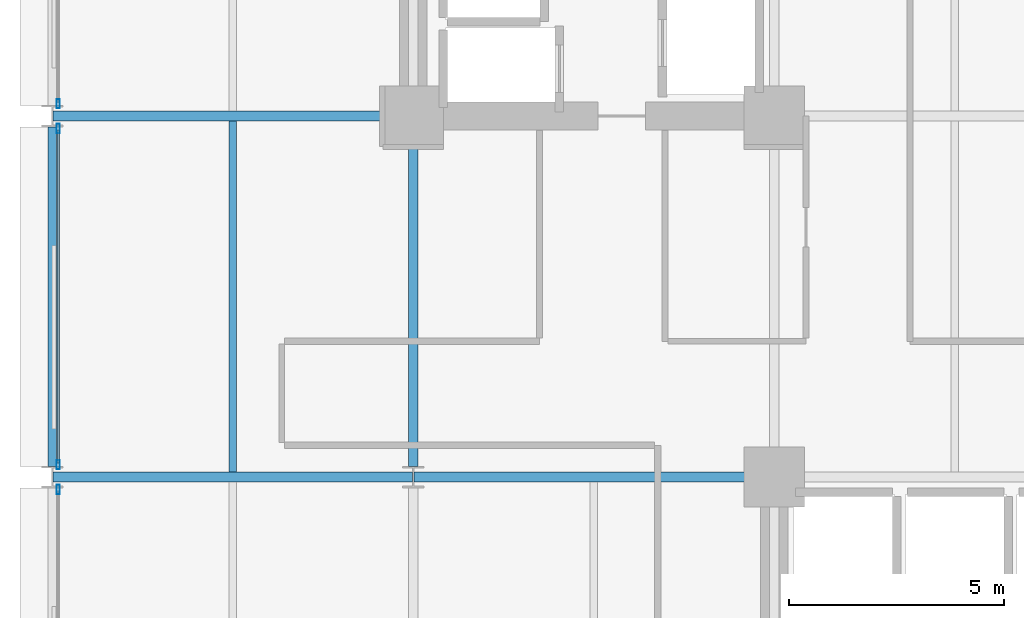
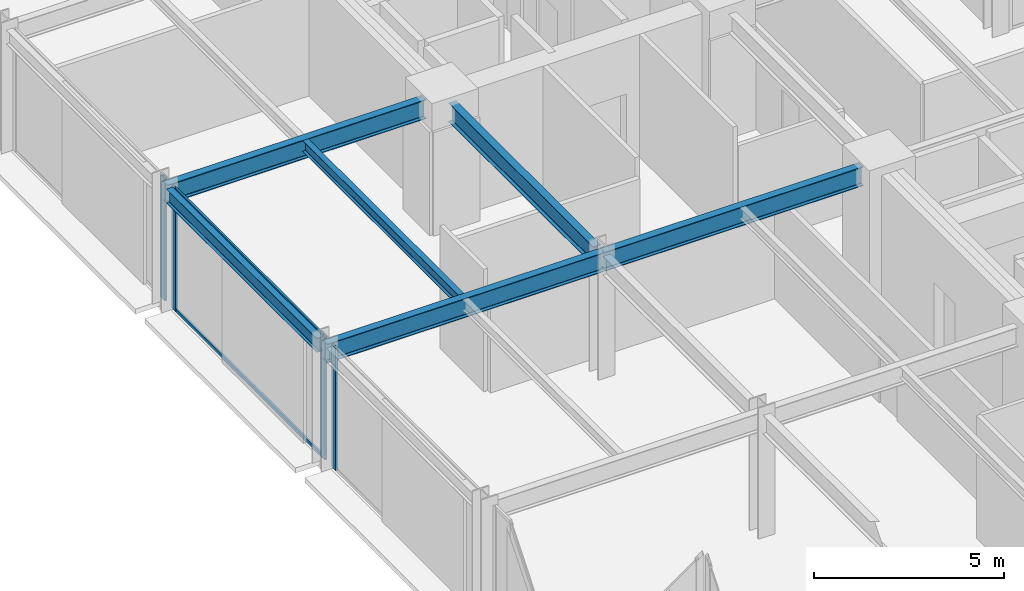
# One storey, part 6 of 25: 6 beams, 6 members, 3 elements without a shape of their own.
"""IFC4 building model written with IfcOpenShell, lengths in metres."""

import ifcopenshell
import ifcopenshell.guid

model = None  # the IFC model being written
_history = None  # IfcOwnerHistory: only IFC2X3 demands one
_inside = {}  # id of a spatial element -> (the spatial element, [elements in it])
_under = {}  # id of a project, library or spatial element -> (it, [spatial elements below it])
_declared = {}  # id of a project -> (the project, [libraries it declares])
_typed = {}  # id of a type object -> (the type object, [elements of that type])
_made_of = {}  # id of a material, layer set ... -> (it, [elements and type objects made of it])


def new_model(schema):
    """Start an empty IFC model of exactly this schema.

    Asked for "IFC4X3", IfcOpenShell would pick the latest addendum, in which some entities
    have other attributes; the version numbers below select the first issue.
    IFC2X3 requires an IfcOwnerHistory on every rooted entity: one is made here for all.
    """
    global model, _history
    if schema == "IFC4X3":
        model = ifcopenshell.file(schema_version=(4, 3, 0, 0))
    else:
        model = ifcopenshell.file(schema=schema)
    _inside.clear()
    _under.clear()
    _declared.clear()
    _typed.clear()
    _made_of.clear()
    _history = None
    if model.schema == "IFC2X3":
        org = make("IfcOrganization", Name="unknown")
        user = make(
            "IfcPersonAndOrganization",
            ThePerson=make("IfcPerson", FamilyName="unknown"),
            TheOrganization=org,
        )
        app = make(
            "IfcApplication",
            ApplicationDeveloper=org,
            Version="unknown",
            ApplicationFullName="unknown",
            ApplicationIdentifier="unknown",
        )
        _history = make(
            "IfcOwnerHistory",
            OwningUser=user,
            OwningApplication=app,
            ChangeAction="ADDED",
            CreationDate=0,
        )
    return model


def make(cls, **values):
    """One entity of the class cls with the attributes given. An attribute that is None is left unset."""
    return model.create_entity(
        cls, **{name: value for name, value in values.items() if value is not None}
    )


def rooted(cls, **values):
    """An entity with a GlobalId (a new one), such as an element, a storey or a relation."""
    return make(cls, GlobalId=ifcopenshell.guid.new(), OwnerHistory=_history, **values)


def si_unit(unit_type, name, prefix=None):
    """IfcSIUnit, for example si_unit("LENGTHUNIT", "METRE", prefix="MILLI")."""
    return make("IfcSIUnit", UnitType=unit_type, Prefix=prefix, Name=name)


def assignment(units):
    """IfcUnitAssignment: the units of a project."""
    return None if units is None else make("IfcUnitAssignment", Units=units)


def point(xyz):
    """IfcCartesianPoint."""
    return None if xyz is None else make("IfcCartesianPoint", Coordinates=xyz)


def direction(xyz):
    """IfcDirection."""
    return None if xyz is None else make("IfcDirection", DirectionRatios=xyz)


def frame(location, z_axis=None, x_axis=None):
    """IfcAxis2Placement3D, a coordinate frame: its origin and axes. An axis left out is left unset."""
    return make(
        "IfcAxis2Placement3D",
        Location=point(location),
        Axis=direction(z_axis),
        RefDirection=direction(x_axis),
    )


def frame_2d(location, x_axis=None):
    """IfcAxis2Placement2D, a coordinate frame in the plane: its origin and x axis."""
    return make(
        "IfcAxis2Placement2D", Location=point(location), RefDirection=direction(x_axis)
    )


def origin():
    """The frame at (0, 0, 0) with its axes left unset."""
    return frame((0.0, 0.0, 0.0))


def origin_2d():
    """The frame at (0, 0) in the plane with its x axis left unset."""
    return frame_2d((0.0, 0.0))


def place(relative_to, where):
    """IfcLocalPlacement: puts the frame where relative to a parent placement (None: the world)."""
    return make(
        "IfcLocalPlacement", PlacementRelTo=relative_to, RelativePlacement=where
    )


def context(
    kind, dimensions, precision=None, world=None, true_north=None, identifier=None
):
    """IfcGeometricRepresentationContext, for example the 3D "Model" context."""
    return make(
        "IfcGeometricRepresentationContext",
        ContextIdentifier=identifier,
        ContextType=kind,
        CoordinateSpaceDimension=dimensions,
        Precision=precision,
        WorldCoordinateSystem=world,
        TrueNorth=true_north,
    )


def subcontext(parent, identifier, kind, view, scale=None):
    """IfcGeometricRepresentationSubContext, for example "Body" below "Model"."""
    return make(
        "IfcGeometricRepresentationSubContext",
        ContextIdentifier=identifier,
        ContextType=kind,
        ParentContext=parent,
        TargetScale=scale,
        TargetView=view,
    )


def project(units=None, contexts=None):
    """IfcProject with its units and contexts."""
    return rooted(
        "IfcProject",
        Name="project",
        RepresentationContexts=contexts,
        UnitsInContext=assignment(units),
    )


def spatial(cls, under=None, at=None, **own):
    """A site, building, storey or space (cls), placed at a placement, below another one or the project."""
    s = rooted(cls, ObjectPlacement=at, **own)
    if under is not None:
        _under.setdefault(under.id(), (under, []))[1].append(s)
    return s


def profile(cls, at=None, kind="AREA", **sizes):
    """A parametric profile (cls). Its sizes go by their IFC names, for example OverallWidth=200.0."""
    return make(cls, ProfileType=kind, Position=at, **sizes)


def hollow_rectangle(**sizes):
    """IfcRectangleHollowProfileDef."""
    return profile("IfcRectangleHollowProfileDef", **sizes)


def i_section(**sizes):
    """IfcIShapeProfileDef."""
    return profile("IfcIShapeProfileDef", **sizes)


def extrude(swept, where, along, depth):
    """IfcExtrudedAreaSolid: the profile swept, set in the frame where, extruded along a direction by depth."""
    return make(
        "IfcExtrudedAreaSolid",
        SweptArea=swept,
        Position=where,
        ExtrudedDirection=direction(along),
        Depth=depth,
    )


def shape(context_of_items, identifier, shape_type, items):
    """IfcShapeRepresentation: the items that make up one representation, for example the "Body"."""
    return make(
        "IfcShapeRepresentation",
        ContextOfItems=context_of_items,
        RepresentationIdentifier=identifier,
        RepresentationType=shape_type,
        Items=items,
    )


def material(Name=None, Category=None):
    """IfcMaterial."""
    return make("IfcMaterial", Name=Name, Category=Category)


def layer(
    of_material, thickness, ventilated=None, Name=None, Category=None, Priority=None
):
    """IfcMaterialLayer: one layer of a wall or slab, of a material (None: an air gap)."""
    return make(
        "IfcMaterialLayer",
        Material=of_material,
        LayerThickness=thickness,
        IsVentilated=ventilated,
        Name=Name,
        Category=Category,
        Priority=Priority,
    )


def layer_set(layers, Name=None):
    """IfcMaterialLayerSet."""
    return make("IfcMaterialLayerSet", MaterialLayers=layers, LayerSetName=Name)


def material_profile(
    of_material, cross_section, Name=None, Category=None, Priority=None
):
    """IfcMaterialProfile: a cross section and its material."""
    return make(
        "IfcMaterialProfile",
        Name=Name,
        Material=of_material,
        Profile=cross_section,
        Priority=Priority,
        Category=Category,
    )


def profile_set(profiles, Name=None, composite=None):
    """IfcMaterialProfileSet."""
    return make(
        "IfcMaterialProfileSet",
        Name=Name,
        MaterialProfiles=profiles,
        CompositeProfile=composite,
    )


def made_of(thing, what):
    """Note that an element or type object is made of a material, layer set ...; save() writes the relation."""
    if what is not None:
        _made_of.setdefault(what.id(), (what, []))[1].append(thing)
    return thing


def type_object(cls, material=None, **own):
    """A type object (cls), such as IfcWallType, which elements share."""
    return made_of(rooted(cls, **own), material)


def element(
    cls,
    number,
    at=None,
    inside=None,
    cuts=None,
    type_object=None,
    material=None,
    context=None,
    identifier="Body",
    shape_type=None,
    held_by="IfcProductDefinitionShape",
    body=None,
    shapes=None,
    **own,
):
    """One element of the class cls, such as IfcWall. Its Tag is "e" and its number.

    at: its placement. inside: the storey or other place that contains it. cuts: it is an
    opening in that element (IfcRelVoidsElement). A single representation is given by context,
    identifier, shape_type and body (its items); several are given by shapes. held_by: the class
    of the entity that holds the representations. save() writes the other relations.
    """
    e = rooted(cls, Tag="e%d" % number, ObjectPlacement=at, **own)
    if body is not None:
        shapes = [shape(context, identifier, shape_type, body)]
    if shapes is not None:
        e.Representation = make(held_by, Representations=shapes)
    if inside is not None:
        _inside.setdefault(inside.id(), (inside, []))[1].append(e)
    if cuts is not None:
        rooted(
            "IfcRelVoidsElement", RelatingBuildingElement=cuts, RelatedOpeningElement=e
        )
    if type_object is not None:
        _typed.setdefault(type_object.id(), (type_object, []))[1].append(e)
    return made_of(e, material)


def aggregate(whole, parts):
    """IfcRelAggregates: a whole, such as a stair, and the parts it consists of."""
    return rooted("IfcRelAggregates", RelatingObject=whole, RelatedObjects=parts)


def save(model, path):
    """Write the relations noted so far, then the file.

    IfcRelAggregates (storeys below a building ...), IfcRelContainedInSpatialStructure (elements
    in a storey), IfcRelDefinesByType, IfcRelAssociatesMaterial and IfcRelDeclares: one each for
    every whole, place, type object, material and project.
    """
    for whole, parts in _under.values():
        aggregate(whole, parts)
    for where, things in _inside.values():
        rooted(
            "IfcRelContainedInSpatialStructure",
            RelatedElements=things,
            RelatingStructure=where,
        )
    for kind, things in _typed.values():
        rooted("IfcRelDefinesByType", RelatedObjects=things, RelatingType=kind)
    for what, things in _made_of.values():
        rooted("IfcRelAssociatesMaterial", RelatedObjects=things, RelatingMaterial=what)
    for by, libraries in _declared.values():
        rooted("IfcRelDeclares", RelatingContext=by, RelatedDefinitions=libraries)
    model.write(path)


model = new_model("IFC4")

# Units and contexts
model_context = context("Model", 3, precision=1e-05, world=origin(), true_north=direction((0.0, 1.0)))
body_context = subcontext(model_context, "Body", "Model", "MODEL_VIEW")
ifc_project = project(units=[si_unit("LENGTHUNIT", "METRE"), si_unit("AREAUNIT", "SQUARE_METRE"), si_unit("VOLUMEUNIT", "CUBIC_METRE"), si_unit("PLANEANGLEUNIT", "RADIAN"), si_unit("MASSUNIT", "GRAM", prefix="KILO")], contexts=[model_context])

# Site, building, storey
site_placement = place(None, origin())
site = spatial("IfcSite", under=ifc_project, at=site_placement, CompositionType="ELEMENT")
building_placement = place(site_placement, origin())
building = spatial("IfcBuilding", under=site, at=building_placement, Name="Nerrivon Quay Data Exchange", CompositionType="ELEMENT")
storey_placement = place(building_placement, frame((0.0, 0.0, 29.0)))
storey = spatial("IfcBuildingStorey", under=building, at=storey_placement, Name="L06", CompositionType="ELEMENT", Elevation=29.0)

# Beams
ifc_material_1 = material(Name="Steel Grade 350", Category="steel")
ifc_material_profile_1 = material_profile(ifc_material_1, i_section(OverallWidth=0.22900390625, OverallDepth=0.612060546875, WebThickness=0.011962890625, FlangeThickness=0.01953125, FilletRadius=0.013916015625, at=origin_2d()), Name="610UB125")
ifc_profile_set_1 = profile_set([ifc_material_profile_1], Name="Steel Grade 350")
beam_type_1 = type_object("IfcBeamType", Name="BM-G1-610UB125", PredefinedType="BEAM", material=ifc_profile_set_1)
beam_1_placement = place(storey_placement, frame((0.013916015625, 16.800048828125, 3.618896484375), z_axis=(1.0, 0.0, 0.0), x_axis=(0.0, 1.0, 0.0)))
element("IfcBeam", 1, at=beam_1_placement, inside=storey, type_object=beam_type_1, Name="L06 EW Girder Y=16.8 (0.0..8.4)", PredefinedType="BEAM", context=body_context, shape_type="SweptSolid", body=[
    extrude(i_section(OverallWidth=0.22900390625, OverallDepth=0.612060546875, WebThickness=0.011962890625, FlangeThickness=0.01953125, FilletRadius=0.013916015625, at=origin_2d()), origin(), (0.0, 0.0, 1.0), 8.3720703125),
])
beam_2_placement = place(storey_placement, frame((8.4140625, 16.800048828125, 3.618896484375), z_axis=(1.0, 0.0, 0.0), x_axis=(0.0, 1.0, 0.0)))
element("IfcBeam", 2, at=beam_2_placement, inside=storey, type_object=beam_type_1, Name="L06 EW Girder Y=16.8 (8.4..16.8)", PredefinedType="BEAM", context=body_context, shape_type="SweptSolid", body=[
    extrude(i_section(OverallWidth=0.22900390625, OverallDepth=0.612060546875, WebThickness=0.011962890625, FlangeThickness=0.01953125, FilletRadius=0.013916015625, at=origin_2d()), origin(), (0.0, 0.0, 1.0), 7.845947265625),
])
beam_3_placement = place(storey_placement, frame((0.013916015625, 25.199951171875, 3.618896484375), z_axis=(1.0, 0.0, 0.0), x_axis=(0.0, 1.0, 0.0)))
element("IfcBeam", 3, at=beam_3_placement, inside=storey, type_object=beam_type_1, Name="L06 EW Girder Y=25.2 (0.0..8.4)", PredefinedType="BEAM", context=body_context, shape_type="SweptSolid", body=[
    extrude(i_section(OverallWidth=0.22900390625, OverallDepth=0.612060546875, WebThickness=0.011962890625, FlangeThickness=0.01953125, FilletRadius=0.013916015625, at=origin_2d()), origin(), (0.0, 0.0, 1.0), 7.84619140625),
])
ifc_material_profile_2 = material_profile(ifc_material_1, i_section(OverallWidth=0.22802734375, OverallDepth=0.60205078125, WebThickness=0.010498046875, FlangeThickness=0.014892578125, FilletRadius=0.013916015625, at=origin_2d()), Name="610UB101")
ifc_profile_set_2 = profile_set([ifc_material_profile_2], Name="Steel Grade 350")
beam_type_2 = type_object("IfcBeamType", Name="BM-G2-610UB101", PredefinedType="BEAM", material=ifc_profile_set_2)
beam_4_placement = place(storey_placement, frame((8.39990234375, 17.050048828125, 3.6240234375), z_axis=(0.0, 1.0, 0.0), x_axis=(-1.0, 0.0, 0.0)))
element("IfcBeam", 4, at=beam_4_placement, inside=storey, type_object=beam_type_2, Name="L06 NS Girder X=8.4 (16.8..25.2)", PredefinedType="BEAM", context=body_context, shape_type="SweptSolid", body=[
    extrude(i_section(OverallWidth=0.22802734375, OverallDepth=0.60205078125, WebThickness=0.010498046875, FlangeThickness=0.014892578125, FilletRadius=0.013916015625, at=origin_2d()), origin(), (0.0, 0.0, 1.0), 7.60986328125),
])
ifc_material_profile_3 = material_profile(ifc_material_1, i_section(OverallWidth=0.172119140625, OverallDepth=0.35888671875, WebThickness=0.008056640625, FlangeThickness=0.012939453125, FilletRadius=0.011474609375, at=origin_2d()), Name="360UB56.7")
ifc_profile_set_3 = profile_set([ifc_material_profile_3], Name="Steel Grade 350")
beam_type_3 = type_object("IfcBeamType", Name="BM-J3-360UB57", PredefinedType="JOIST", material=ifc_profile_set_3)
beam_5_placement = place(storey_placement, frame((4.199951171875, 16.91455078125, 3.74560546875), z_axis=(0.0, 1.0, 0.0), x_axis=(-1.0, 0.0, 0.0)))
element("IfcBeam", 5, at=beam_5_placement, inside=storey, type_object=beam_type_3, Name="L06 Secondary Joist X=4.2 (16.8..25.2)", PredefinedType="JOIST", context=body_context, shape_type="SweptSolid", body=[
    extrude(i_section(OverallWidth=0.172119140625, OverallDepth=0.35888671875, WebThickness=0.008056640625, FlangeThickness=0.012939453125, FilletRadius=0.011474609375, at=origin_2d()), origin(), (0.0, 0.0, 1.0), 8.1708984375),
])
ifc_material_profile_4 = material_profile(ifc_material_1, i_section(OverallWidth=0.18994140625, OverallDepth=0.4541015625, WebThickness=0.008544921875, FlangeThickness=0.0126953125, FilletRadius=0.011474609375, at=origin_2d()), Name="460UB67.1")
ifc_profile_set_4 = profile_set([ifc_material_profile_4], Name="Steel Grade 350")
beam_type_4 = type_object("IfcBeamType", Name="BM-SP1-460UB67", PredefinedType="SPANDREL", material=ifc_profile_set_4)
beam_6_placement = place(storey_placement, frame((0.0, 17.050048828125, 3.697998046875), z_axis=(0.0, 1.0, 0.0), x_axis=(-1.0, 0.0, 0.0)))
element("IfcBeam", 6, at=beam_6_placement, inside=storey, type_object=beam_type_4, Name="L06 NS Girder X=0.0 (16.8..25.2)", PredefinedType="SPANDREL", context=body_context, shape_type="SweptSolid", body=[
    extrude(i_section(OverallWidth=0.18994140625, OverallDepth=0.4541015625, WebThickness=0.008544921875, FlangeThickness=0.0126953125, FilletRadius=0.011474609375, at=origin_2d()), origin(), (0.0, 0.0, 1.0), 7.89990234375),
])

# Curtain wall, member
ifc_material_2 = material(Name="Anodised aluminium 6063-T6", Category="aluminium")
ifc_layer = layer(ifc_material_2, 0.219970703125)
ifc_layer_set = layer_set([ifc_layer], Name="Anodised aluminium 6063-T6")
curtain_wall_type = type_object("IfcCurtainWallType", Name="CW-SYS-01", PredefinedType="NOTDEFINED", material=ifc_layer_set)
curtain_wall_1_placement = place(storey_placement, origin())
curtain_wall_1 = element("IfcCurtainWall", 7, at=curtain_wall_1_placement, inside=storey, type_object=curtain_wall_type, Name="L06 Unitised Curtain Wall 14", PredefinedType="NOTDEFINED")
ifc_material_profile_5 = material_profile(ifc_material_2, hollow_rectangle(XDim=0.074951171875, YDim=0.219970703125, WallThickness=0.00390625, at=origin_2d()), Name="ALU-MULL-220x75")
ifc_profile_set_5 = profile_set([ifc_material_profile_5], Name="Anodised aluminium 6063-T6")
member_type_1 = type_object("IfcMemberType", Name="CWM-220x75", PredefinedType="MULLION", material=ifc_profile_set_5)
member_1_placement = place(storey_placement, frame((0.139892578125, 16.512451171875, 0.0), z_axis=(0.0, 0.0, 1.0), x_axis=(-1.0, 0.0, 0.0)))
member_1 = element("IfcMember", 8, at=member_1_placement, type_object=member_type_1, Name="CW01 mullion 2", PredefinedType="MULLION", context=body_context, shape_type="SweptSolid", body=[
    extrude(hollow_rectangle(XDim=0.074951171875, YDim=0.219970703125, WallThickness=0.00390625, at=origin_2d()), origin(), (0.0, 0.0, 1.0), 3.925048828125),
])
aggregate(curtain_wall_1, [member_1])

# Curtain wall, members
curtain_wall_2_placement = place(storey_placement, origin())
curtain_wall_2 = element("IfcCurtainWall", 9, at=curtain_wall_2_placement, inside=storey, type_object=curtain_wall_type, Name="L06 Unitised Curtain Wall 15", PredefinedType="NOTDEFINED")
member_2_placement = place(storey_placement, frame((0.139892578125, 17.08740234375, 0.0), z_axis=(0.0, 0.0, 1.0), x_axis=(-1.0, 0.0, 0.0)))
member_2 = element("IfcMember", 10, at=member_2_placement, type_object=member_type_1, Name="CW01 mullion 1", PredefinedType="MULLION", context=body_context, shape_type="SweptSolid", body=[
    extrude(hollow_rectangle(XDim=0.074951171875, YDim=0.219970703125, WallThickness=0.00390625, at=origin_2d()), origin(), (0.0, 0.0, 1.0), 3.925048828125),
])
member_3_placement = place(storey_placement, frame((0.139892578125, 24.91259765625, 0.0), z_axis=(0.0, 0.0, 1.0), x_axis=(-1.0, 0.0, 0.0)))
member_3 = element("IfcMember", 11, at=member_3_placement, type_object=member_type_1, Name="CW01 mullion 2", PredefinedType="MULLION", context=body_context, shape_type="SweptSolid", body=[
    extrude(hollow_rectangle(XDim=0.074951171875, YDim=0.219970703125, WallThickness=0.00390625, at=origin_2d()), origin(), (0.0, 0.0, 1.0), 3.925048828125),
])

# Curtain wall, member
curtain_wall_3_placement = place(storey_placement, origin())
curtain_wall_3 = element("IfcCurtainWall", 12, at=curtain_wall_3_placement, inside=storey, type_object=curtain_wall_type, Name="L06 Unitised Curtain Wall 16", PredefinedType="NOTDEFINED")
member_4_placement = place(storey_placement, frame((0.139892578125, 25.487548828125, 0.0), z_axis=(0.0, 0.0, 1.0), x_axis=(-1.0, 0.0, 0.0)))
member_4 = element("IfcMember", 13, at=member_4_placement, type_object=member_type_1, Name="CW01 mullion 1", PredefinedType="MULLION", context=body_context, shape_type="SweptSolid", body=[
    extrude(hollow_rectangle(XDim=0.074951171875, YDim=0.219970703125, WallThickness=0.00390625, at=origin_2d()), origin(), (0.0, 0.0, 1.0), 3.925048828125),
])
aggregate(curtain_wall_3, [member_4])

# Member
ifc_material_profile_6 = material_profile(ifc_material_2, hollow_rectangle(XDim=0.06005859375, YDim=0.1201171875, WallThickness=0.003173828125, at=origin_2d()), Name="ALU-TRAN-120x60")
ifc_profile_set_6 = profile_set([ifc_material_profile_6], Name="Anodised aluminium 6063-T6")
member_type_2 = type_object("IfcMemberType", Name="CWT-120x60", PredefinedType="USERDEFINED", material=ifc_profile_set_6)
member_5_placement = place(storey_placement, frame((0.139892578125, 17.125, 0.032470703125), z_axis=(0.0, 1.0, 0.0), x_axis=(-1.0, 0.0, 0.0)))
member_5 = element("IfcMember", 14, at=member_5_placement, type_object=member_type_2, Name="CW01 transom 1.1", ObjectType="TRANSOM", PredefinedType="USERDEFINED", context=body_context, shape_type="SweptSolid", body=[
    extrude(hollow_rectangle(XDim=0.06005859375, YDim=0.1201171875, WallThickness=0.003173828125, at=origin_2d()), origin(), (0.0, 0.0, 1.0), 7.75),
])

member_6_placement = place(storey_placement, frame((0.139892578125, 17.125, 3.892578125), z_axis=(0.0, 1.0, 0.0), x_axis=(-1.0, 0.0, 0.0)))
member_6 = element("IfcMember", 15, at=member_6_placement, type_object=member_type_2, Name="CW01 transom 1.2", ObjectType="TRANSOM", PredefinedType="USERDEFINED", context=body_context, shape_type="SweptSolid", body=[
    extrude(hollow_rectangle(XDim=0.06005859375, YDim=0.1201171875, WallThickness=0.003173828125, at=origin_2d()), origin(), (0.0, 0.0, 1.0), 7.75),
])

aggregate(curtain_wall_2, [member_2, member_3, member_5, member_6])

save(model, "model.ifc")
